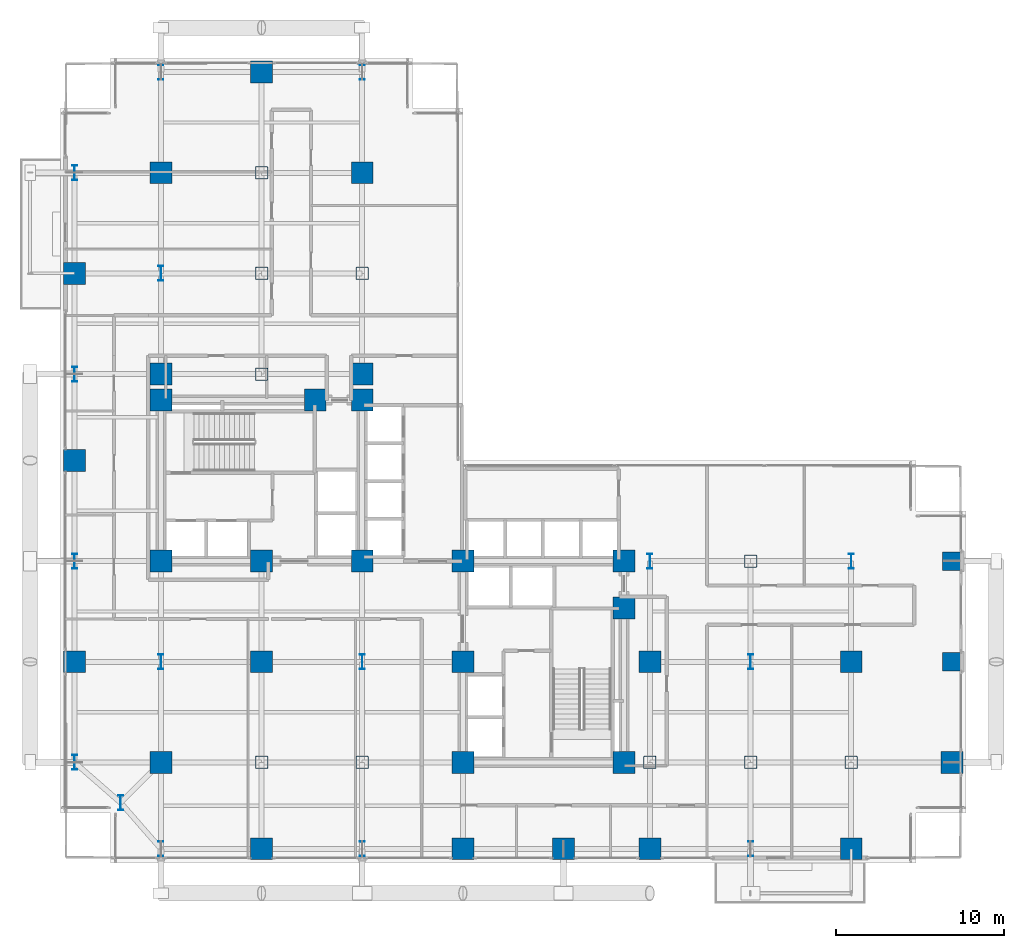
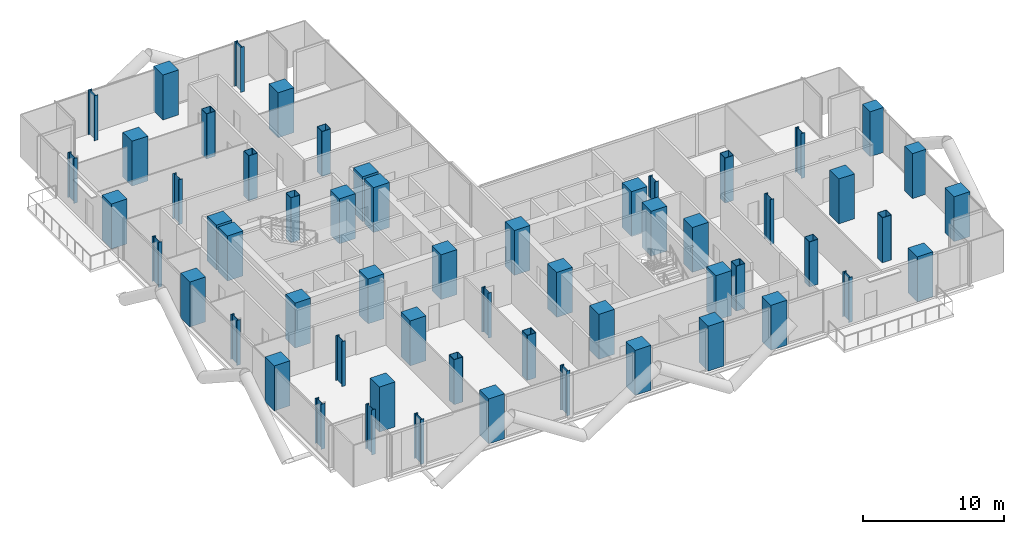
# One storey, part 1 of 27: 58 columns.
"""IFC4 building model written with IfcOpenShell, lengths in metres."""

from ifc_helpers import new_model, si_unit, direction, frame, origin, origin_2d, place, context, subcontext, project, spatial, rectangle, hollow_rectangle, i_section, extrude, material, material_profile, profile_set, type_object, element, save


model = new_model("IFC4")

# Units and contexts
model_context = context("Model", 3, precision=1e-05, world=origin(), true_north=direction((0.0, 1.0)))
body_context = subcontext(model_context, "Body", "Model", "MODEL_VIEW")
ifc_project = project(units=[si_unit("LENGTHUNIT", "METRE"), si_unit("AREAUNIT", "SQUARE_METRE"), si_unit("VOLUMEUNIT", "CUBIC_METRE"), si_unit("PLANEANGLEUNIT", "RADIAN"), si_unit("MASSUNIT", "GRAM", prefix="KILO"), si_unit("THERMODYNAMICTEMPERATUREUNIT", "KELVIN"), si_unit("POWERUNIT", "WATT")], contexts=[model_context])

# Site, building, storey
site_placement = place(None, origin())
site = spatial("IfcSite", under=ifc_project, at=site_placement, CompositionType="ELEMENT")
building_placement = place(site_placement, origin())
building = spatial("IfcBuilding", under=site, at=building_placement, Name="Svarakhadi Broadcast Tower", CompositionType="ELEMENT")
storey_placement = place(building_placement, frame((0.0, 0.0, 87.0)))
storey = spatial("IfcBuildingStorey", under=building, at=storey_placement, Name="L20", CompositionType="ELEMENT", Elevation=87.0)

# Columns
ifc_material_1 = material(Name="Steel S460ML (IS 2062 E450BR)", Category="steel")
ifc_material_profile_1 = material_profile(ifc_material_1, hollow_rectangle(XDim=0.75, YDim=0.75, WallThickness=0.034912109375, InnerFilletRadius=0.034912109375, OuterFilletRadius=0.050048828125, at=origin_2d()), Name="BOX 750x750x35")
ifc_profile_set_1 = profile_set([ifc_material_profile_1], Name="Steel S460ML (IS 2062 E450BR)")
column_type_1 = type_object("IfcColumnType", Name="Col_BOX750", PredefinedType="COLUMN", material=ifc_profile_set_1)
for number, where, z_axis, x_axis, name in (
    (1, (12.0, 6.0, 0.0), (0.0, 0.0, 1.0), (1.0, 0.0, 0.0), "L20 Column G19"),
    (2, (12.0, 29.14990234375, 0.0), (0.0, 0.0, 1.0), (1.0, 0.0, 0.0), "L20 Column G21"),
    (3, (12.0, 35.14990234375, 0.0), (0.0, 0.0, 1.0), (1.0, 0.0, 0.0), "L20 Column G22"),
    (4, (12.0, 41.14990234375, 0.0), (0.0, 0.0, 1.0), (1.0, 0.0, 0.0), "L20 Column G23"),
    (5, (18.0, 6.0, 0.0), (0.0, 0.0, 1.0), (1.0, 0.0, 0.0), "L20 Column G26"),
    (6, (18.0, 35.14990234375, 0.0), (0.0, 0.0, 1.0), (1.0, 0.0, 0.0), "L20 Column G29"),
    (7, (35.14990234375, 6.0, 0.0), (0.0, 0.0, 1.0), (1.0, 0.0, 0.0), "L20 Column G39"),
    (8, (41.14990234375, 6.0, 0.0), (0.0, 0.0, 1.0), (1.0, 0.0, 0.0), "L20 Column G44"),
    (9, (41.14990234375, 18.0, 0.0), (0.0, 0.0, 1.0), (1.0, 0.0, 0.0), "L20 Column G46"),
    (10, (47.14990234375, 6.0, 0.0), (0.0, 0.0, 1.0), (1.0, 0.0, 0.0), "L20 Column G51"),
):
    element("IfcColumn", number, at=place(storey_placement, frame(where, z_axis=z_axis, x_axis=x_axis)), inside=storey, type_object=column_type_1, Name=name, PredefinedType="COLUMN", context=body_context, shape_type="SweptSolid", body=[
        extrude(hollow_rectangle(XDim=0.75, YDim=0.75, WallThickness=0.034912109375, InnerFilletRadius=0.034912109375, OuterFilletRadius=0.050048828125, at=origin_2d()), origin(), (0.0, 0.0, 1.0), 3.89990234375),
    ])
ifc_material_2 = material(Name="Concrete C50/60 (IS 456 M60)", Category="concrete")
ifc_material_profile_2 = material_profile(ifc_material_2, rectangle(XDim=1.10009765625, YDim=1.10009765625, at=origin_2d()), Name="RC 1100x1100")
ifc_profile_set_2 = profile_set([ifc_material_profile_2], Name="Concrete C50/60 (IS 456 M60)")
column_type_2 = type_object("IfcColumnType", Name="Col_RC1100", PredefinedType="COLUMN", material=ifc_profile_set_2)
for number, where, z_axis, x_axis, name in (
    (11, (53.14990234375, 12.0, 0.0), (0.0, 0.0, 1.0), (1.0, 0.0, 0.0), "L20 Zone-1 East Stack Column ZT02"),
    (12, (53.14990234375, 18.0, 0.0), (0.0, 0.0, 1.0), (1.0, 0.0, 0.0), "L20 Zone-1 East Stack Column ZT03"),
):
    element("IfcColumn", number, at=place(storey_placement, frame(where, z_axis=z_axis, x_axis=x_axis)), inside=storey, type_object=column_type_2, Name=name, PredefinedType="COLUMN", context=body_context, shape_type="SweptSolid", body=[
        extrude(rectangle(XDim=1.10009765625, YDim=1.10009765625, at=origin_2d()), origin(), (0.0, 0.0, 1.0), 3.89990234375),
    ])
ifc_material_3 = material(Name="Concrete C60/75 (IS 456 M70)", Category="concrete")
ifc_material_profile_3 = material_profile(ifc_material_3, rectangle(XDim=1.300048828125, YDim=1.300048828125, at=origin_2d()), Name="RC 1300x1300")
ifc_profile_set_3 = profile_set([ifc_material_profile_3], Name="Concrete C60/75 (IS 456 M70)")
column_type_3 = type_object("IfcColumnType", Name="Col_RC1300", PredefinedType="COLUMN", material=ifc_profile_set_3)
for number, where, z_axis, x_axis, name in (
    (13, (6.0, 18.0, 0.0), (0.0, 0.0, 1.0), (1.0, 0.0, 0.0), "L20 Column CW1"),
    (14, (12.0, 18.0, 0.0), (0.0, 0.0, 1.0), (1.0, 0.0, 0.0), "L20 Column CW2"),
    (15, (18.0, 18.0, 0.0), (0.0, 0.0, 1.0), (1.0, 0.0, 0.0), "L20 Column CW3"),
    (16, (6.0, 27.60009765625, 0.0), (0.0, 0.0, 1.0), (1.0, 0.0, 0.0), "L20 Column CW4"),
    (17, (15.199951171875, 27.60009765625, 0.0), (0.0, 0.0, 1.0), (1.0, 0.0, 0.0), "L20 Column CW5"),
    (18, (18.0, 27.60009765625, 0.0), (0.0, 0.0, 1.0), (1.0, 0.0, 0.0), "L20 Column CW6"),
    (19, (24.0, 6.0, 0.0), (0.0, 0.0, 1.0), (1.0, 0.0, 0.0), "L20 Column CE1"),
    (20, (24.0, 12.0, 0.0), (0.0, 0.0, 1.0), (1.0, 0.0, 0.0), "L20 Column CE2"),
    (21, (24.0, 18.0, 0.0), (0.0, 0.0, 1.0), (1.0, 0.0, 0.0), "L20 Column CE3"),
    (22, (33.60009765625, 6.0, 0.0), (0.0, 0.0, 1.0), (1.0, 0.0, 0.0), "L20 Column CE4"),
    (23, (33.60009765625, 15.199951171875, 0.0), (0.0, 0.0, 1.0), (1.0, 0.0, 0.0), "L20 Column CE5"),
    (24, (33.60009765625, 18.0, 0.0), (0.0, 0.0, 1.0), (1.0, 0.0, 0.0), "L20 Column CE6"),
    (25, (0.85009765625, 12.0, 0.0), (0.0, 0.0, 1.0), (1.0, 0.0, 0.0), "L20 Column G04"),
    (26, (0.85009765625, 24.0, 0.0), (0.0, 0.0, 1.0), (1.0, 0.0, 0.0), "L20 Column G06"),
    (27, (0.85009765625, 35.14990234375, 0.0), (0.0, 0.0, 1.0), (1.0, 0.0, 0.0), "L20 Column G08"),
    (28, (6.0, 6.0, 0.0), (0.0, 0.0, 1.0), (1.0, 0.0, 0.0), "L20 Column G12"),
    (29, (6.0, 29.14990234375, 0.0), (0.0, 0.0, 1.0), (1.0, 0.0, 0.0), "L20 Column G14"),
    (30, (6.0, 41.14990234375, 0.0), (0.0, 0.0, 1.0), (1.0, 0.0, 0.0), "L20 Column G16"),
    (31, (12.0, 0.85009765625, 0.0), (0.0, 0.0, 1.0), (1.0, 0.0, 0.0), "L20 Column G18"),
    (32, (12.0, 12.0, 0.0), (0.0, 0.0, 1.0), (1.0, 0.0, 0.0), "L20 Column G20"),
    (33, (12.0, 47.14990234375, 0.0), (0.0, 0.0, 1.0), (1.0, 0.0, 0.0), "L20 Column G24"),
    (34, (18.0, 29.14990234375, 0.0), (0.0, 0.0, 1.0), (1.0, 0.0, 0.0), "L20 Column G28"),
    (35, (18.0, 41.14990234375, 0.0), (0.0, 0.0, 1.0), (1.0, 0.0, 0.0), "L20 Column G30"),
    (36, (24.0, 0.85009765625, 0.0), (0.0, 0.0, 1.0), (1.0, 0.0, 0.0), "L20 Column G32"),
    (37, (30.0, 0.85009765625, 0.0), (0.0, 0.0, 1.0), (1.0, 0.0, 0.0), "L20 Column G36"),
    (38, (35.14990234375, 0.85009765625, 0.0), (0.0, 0.0, 1.0), (1.0, 0.0, 0.0), "L20 Column G38"),
    (39, (35.14990234375, 12.0, 0.0), (0.0, 0.0, 1.0), (1.0, 0.0, 0.0), "L20 Column G40"),
    (40, (47.14990234375, 0.85009765625, 0.0), (0.0, 0.0, 1.0), (1.0, 0.0, 0.0), "L20 Column G50"),
    (41, (47.14990234375, 12.0, 0.0), (0.0, 0.0, 1.0), (1.0, 0.0, 0.0), "L20 Column G52"),
    (42, (53.14990234375, 6.0, 0.0), (0.0, 0.0, 1.0), (1.0, 0.0, 0.0), "L20 Column G58"),
):
    element("IfcColumn", number, at=place(storey_placement, frame(where, z_axis=z_axis, x_axis=x_axis)), inside=storey, type_object=column_type_3, Name=name, PredefinedType="COLUMN", context=body_context, shape_type="SweptSolid", body=[
        extrude(rectangle(XDim=1.300048828125, YDim=1.300048828125, at=origin_2d()), origin(), (0.0, 0.0, 1.0), 3.89990234375),
    ])
ifc_material_profile_4 = material_profile(ifc_material_1, i_section(OverallWidth=0.300048828125, OverallDepth=0.89990234375, WebThickness=0.0185546875, FlangeThickness=0.034912109375, FilletRadius=0.030029296875, at=origin_2d()), Name="WPB 900x300x291")
ifc_profile_set_4 = profile_set([ifc_material_profile_4], Name="Steel S460ML (IS 2062 E450BR)")
column_type_4 = type_object("IfcColumnType", Name="Col_WPB900", PredefinedType="COLUMN", material=ifc_profile_set_4)
for number, where, z_axis, x_axis, name in (
    (43, (3.60009765625, 3.60009765625, 0.0), (0.0, 0.0, 1.0), (1.0, 0.0, 0.0), "L20 Column G01"),
    (44, (0.85009765625, 6.0, 0.0), (0.0, 0.0, 1.0), (1.0, 0.0, 0.0), "L20 Column G03"),
    (45, (0.85009765625, 18.0, 0.0), (0.0, 0.0, 1.0), (1.0, 0.0, 0.0), "L20 Column G05"),
    (46, (0.85009765625, 29.14990234375, 0.0), (0.0, 0.0, 1.0), (1.0, 0.0, 0.0), "L20 Column G07"),
    (47, (0.85009765625, 41.14990234375, 0.0), (0.0, 0.0, 1.0), (1.0, 0.0, 0.0), "L20 Column G09"),
    (48, (6.0, 0.85009765625, 0.0), (0.0, 0.0, 1.0), (1.0, 0.0, 0.0), "L20 Column G11"),
    (49, (6.0, 12.0, 0.0), (0.0, 0.0, 1.0), (1.0, 0.0, 0.0), "L20 Column G13"),
    (50, (6.0, 35.14990234375, 0.0), (0.0, 0.0, 1.0), (1.0, 0.0, 0.0), "L20 Column G15"),
    (51, (6.0, 47.14990234375, 0.0), (0.0, 0.0, 1.0), (1.0, 0.0, 0.0), "L20 Column G17"),
    (52, (18.0, 0.85009765625, 0.0), (0.0, 0.0, 1.0), (1.0, 0.0, 0.0), "L20 Column G25"),
    (53, (18.0, 12.0, 0.0), (0.0, 0.0, 1.0), (1.0, 0.0, 0.0), "L20 Column G27"),
    (54, (18.0, 47.14990234375, 0.0), (0.0, 0.0, 1.0), (1.0, 0.0, 0.0), "L20 Column G31"),
    (55, (35.14990234375, 18.0, 0.0), (0.0, 0.0, 1.0), (1.0, 0.0, 0.0), "L20 Column G41"),
    (56, (41.14990234375, 0.85009765625, 0.0), (0.0, 0.0, 1.0), (1.0, 0.0, 0.0), "L20 Column G43"),
    (57, (41.14990234375, 12.0, 0.0), (0.0, 0.0, 1.0), (1.0, 0.0, 0.0), "L20 Column G45"),
    (58, (47.14990234375, 18.0, 0.0), (0.0, 0.0, 1.0), (1.0, 0.0, 0.0), "L20 Column G53"),
):
    element("IfcColumn", number, at=place(storey_placement, frame(where, z_axis=z_axis, x_axis=x_axis)), inside=storey, type_object=column_type_4, Name=name, PredefinedType="COLUMN", context=body_context, shape_type="SweptSolid", body=[
        extrude(i_section(OverallWidth=0.300048828125, OverallDepth=0.89990234375, WebThickness=0.0185546875, FlangeThickness=0.034912109375, FilletRadius=0.030029296875, at=origin_2d()), origin(), (0.0, 0.0, 1.0), 3.89990234375),
    ])

save(model, "model.ifc")
